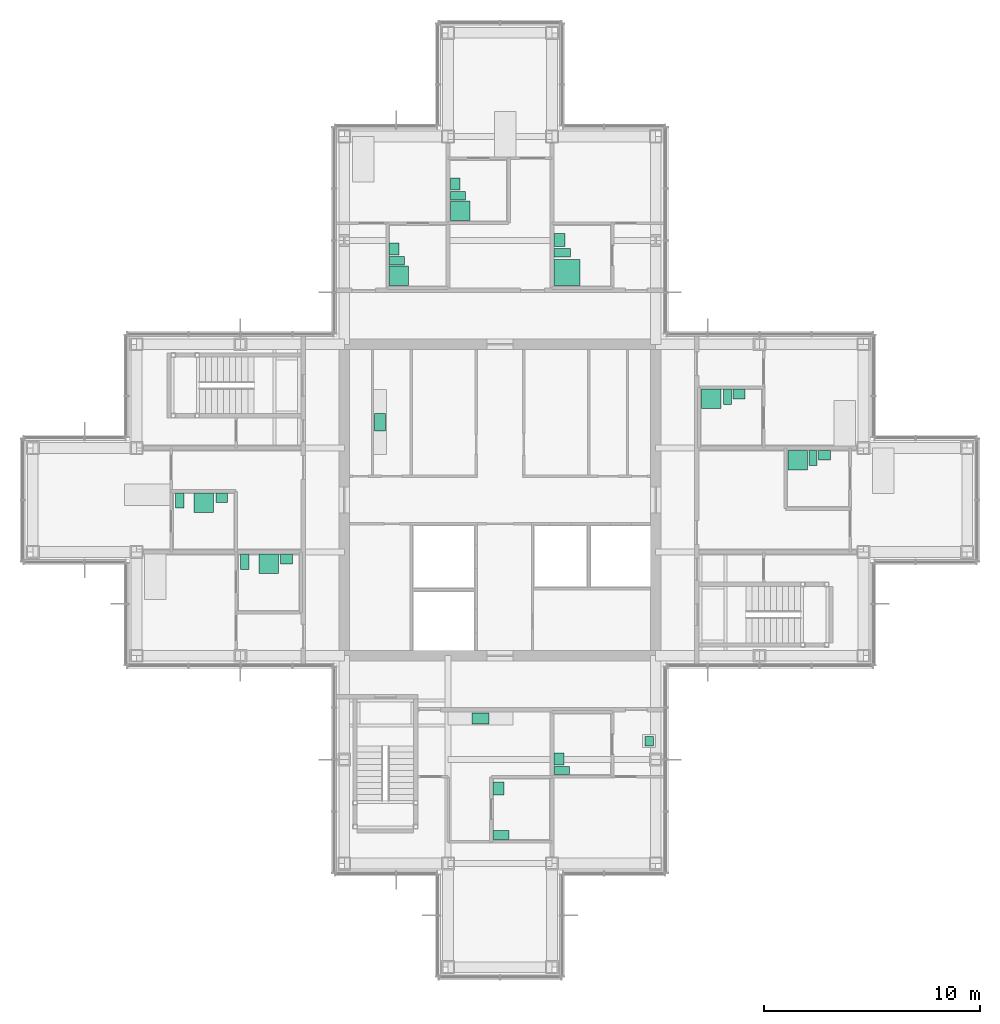
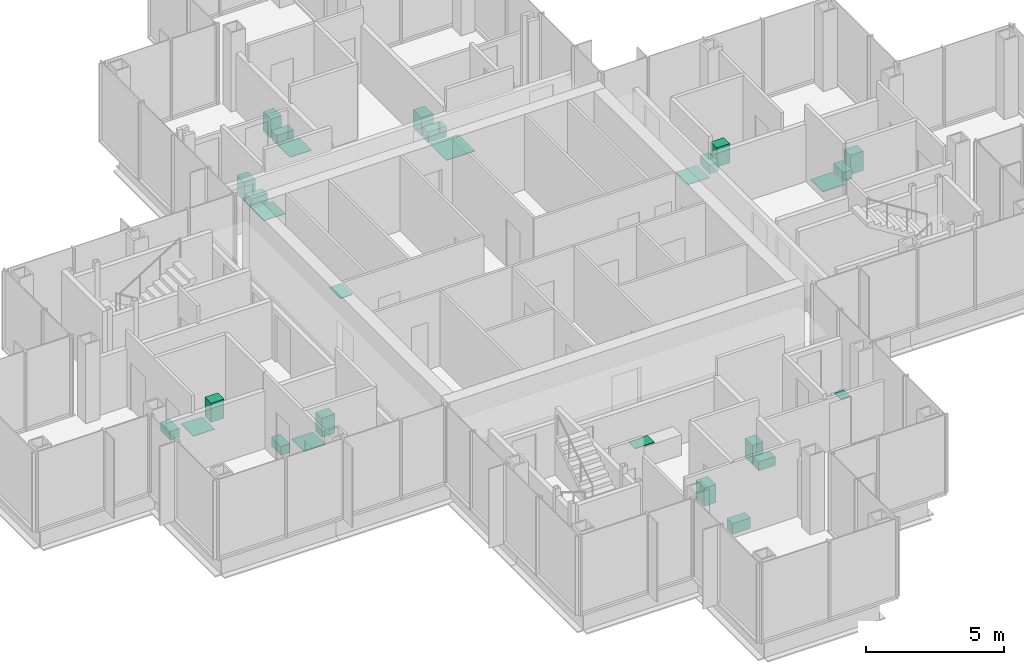
# One storey, part 16 of 17: 28 sanitary terminals.
"""IFC4 building model written with IfcOpenShell, lengths in metres."""

from ifc_helpers import new_model, si_unit, direction, frame, origin, origin_2d, place, context, subcontext, project, spatial, rectangle, extrude, material, type_object, element, save


model = new_model("IFC4")

# Units and contexts
model_context = context("Model", 3, precision=1e-05, world=origin(), true_north=direction((0.0, 1.0)))
body_context = subcontext(model_context, "Body", "Model", "MODEL_VIEW")
ifc_project = project(units=[si_unit("LENGTHUNIT", "METRE"), si_unit("AREAUNIT", "SQUARE_METRE"), si_unit("VOLUMEUNIT", "CUBIC_METRE"), si_unit("PLANEANGLEUNIT", "RADIAN"), si_unit("MASSUNIT", "GRAM", prefix="KILO")], contexts=[model_context])

# Site, building, storey
site_placement = place(None, origin())
site = spatial("IfcSite", under=ifc_project, at=site_placement, CompositionType="ELEMENT")
building_placement = place(site_placement, origin())
building = spatial("IfcBuilding", under=site, at=building_placement, Name="Kvirike Care Tower", CompositionType="ELEMENT")
storey_placement = place(building_placement, frame((0.0, 0.0, 151.5)))
storey = spatial("IfcBuildingStorey", under=building, at=storey_placement, Name="L41", CompositionType="ELEMENT", Elevation=151.5)

# Sanitary terminals
ifc_material_1 = material(Name="Vitreous china", Category="ceramic")
sanitary_terminal_type_1 = type_object("IfcSanitaryTerminalType", Name="ACCESSIBLE WASH BASIN 600 x 500", PredefinedType="WASHHANDBASIN", material=ifc_material_1)
for number, where, z_axis, x_axis, name in (
    (1, (21.527099609375, 22.659912109375, 0.02001953125), (0.0, 0.0, 1.0), (0.0, 1.0, 0.0), "Accessible wash basin L41-014"),
    (2, (24.35205078125, 48.02490234375, 0.02001953125), (0.0, 0.0, 1.0), (0.0, 1.0, 0.0), "Accessible wash basin L41-021"),
):
    element("IfcSanitaryTerminal", number, at=place(storey_placement, frame(where, z_axis=z_axis, x_axis=x_axis)), inside=storey, type_object=sanitary_terminal_type_1, Name=name, PredefinedType="WASHHANDBASIN", context=body_context, shape_type="SweptSolid", body=[
        extrude(rectangle(XDim=0.60009765625, YDim=0.5, at=origin_2d()), origin(), (0.0, 0.0, 1.0), 0.800048828125),
    ])
ifc_material_2 = material(Name="Vitreous china", Category="ceramic")
sanitary_terminal_type_2 = type_object("IfcSanitaryTerminalType", Name="ACCESSIBLE WC PAN 400 x 750", PredefinedType="TOILETPAN", material=ifc_material_2)
for number, where, z_axis, x_axis, name in (
    (3, (21.652099609375, 20.510009765625, 0.02001953125), (0.0, 0.0, 1.0), (0.0, 1.0, 0.0), "Accessible WC pan L41-014"),
    (4, (24.47705078125, 47.425048828125, 0.02001953125), (0.0, 0.0, 1.0), (0.0, 1.0, 0.0), "Accessible WC pan L41-021"),
):
    element("IfcSanitaryTerminal", number, at=place(storey_placement, frame(where, z_axis=z_axis, x_axis=x_axis)), inside=storey, type_object=sanitary_terminal_type_2, Name=name, PredefinedType="TOILETPAN", context=body_context, shape_type="SweptSolid", body=[
        extrude(rectangle(XDim=0.39990234375, YDim=0.75, at=origin_2d()), origin(), (0.0, 0.0, 1.0), 0.47998046875),
    ])
ifc_material_3 = material(Name="Stainless steel", Category="steel")
sanitary_terminal_type_3 = type_object("IfcSanitaryTerminalType", Name="KITCHEN SINK 450 x 400", PredefinedType="SINK", material=ifc_material_3)
sanitary_terminal_1_placement = place(storey_placement, frame((28.498046875, 24.85009765625, 0.89990234375), z_axis=(0.0, 0.0, 1.0), x_axis=(0.0, -1.0, 0.0)))
element("IfcSanitaryTerminal", 5, at=sanitary_terminal_1_placement, inside=storey, type_object=sanitary_terminal_type_3, Name="Kitchen sink L41-018", PredefinedType="SINK", context=body_context, shape_type="SweptSolid", body=[
    extrude(rectangle(XDim=0.449951171875, YDim=0.39990234375, at=origin_2d()), origin(), (0.0, 0.0, 1.0), 0.030029296875),
])
ifc_material_4 = material(Name="Stainless steel", Category="steel")
sanitary_terminal_type_4 = type_object("IfcSanitaryTerminalType", Name="KITCHEN SINK 800 x 500", PredefinedType="SINK", material=ifc_material_4)
for number, where, z_axis, x_axis, name in (
    (6, (20.699951171875, 25.89794921875, 0.89990234375), (0.0, 0.0, 1.0), (1.0, 0.0, 0.0), "Kitchen sink L41-015"),
    (7, (16.052001953125, 39.60009765625, 0.89990234375), (0.0, 0.0, 1.0), (0.0, 1.0, 0.0), "Kitchen sink L41-045"),
):
    element("IfcSanitaryTerminal", number, at=place(storey_placement, frame(where, z_axis=z_axis, x_axis=x_axis)), inside=storey, type_object=sanitary_terminal_type_4, Name=name, PredefinedType="SINK", context=body_context, shape_type="SweptSolid", body=[
        extrude(rectangle(XDim=0.800048828125, YDim=0.5, at=origin_2d()), origin(), (0.0, 0.0, 1.0), 0.030029296875),
    ])
ifc_material_5 = material(Name="Stainless steel", Category="steel")
sanitary_terminal_type_5 = type_object("IfcSanitaryTerminalType", Name="LEVEL-ACCESS SHOWER 1200 x 1200", PredefinedType="SHOWER", material=ifc_material_5)
sanitary_terminal_2_placement = place(storey_placement, frame((24.701904296875, 46.52490234375, 0.02001953125), z_axis=(0.0, 0.0, 1.0), x_axis=(0.0, 1.0, 0.0)))
element("IfcSanitaryTerminal", 8, at=sanitary_terminal_2_placement, inside=storey, type_object=sanitary_terminal_type_5, Name="Level-access shower L41-021", PredefinedType="SHOWER", context=body_context, shape_type="SweptSolid", body=[
    extrude(rectangle(XDim=1.199951171875, YDim=1.199951171875, at=origin_2d()), origin(), (0.0, 0.0, 1.0), 0.02001953125),
])
ifc_material_6 = material(Name="Stainless steel", Category="steel")
sanitary_terminal_type_6 = type_object("IfcSanitaryTerminalType", Name="LEVEL-ACCESS SHOWER 900 x 900", PredefinedType="SHOWER", material=ifc_material_6)
for number, where, z_axis, x_axis, name in (
    (9, (7.909912109375, 35.873046875, 0.02001953125), (0.0, 0.0, 1.0), (1.0, 0.0, 0.0), "Level-access shower L41-006"),
    (10, (10.909912109375, 33.048095703125, 0.02001953125), (0.0, 0.0, 1.0), (1.0, 0.0, 0.0), "Level-access shower L41-009"),
    (11, (19.751953125, 49.375, 0.02001953125), (0.0, 0.0, 1.0), (0.0, 1.0, 0.0), "Level-access shower L41-024"),
    (12, (16.927001953125, 46.375, 0.02001953125), (0.0, 0.0, 1.0), (0.0, 1.0, 0.0), "Level-access shower L41-027"),
    (13, (35.375, 37.847900390625, 0.02001953125), (0.0, 0.0, 1.0), (1.0, 0.0, 0.0), "Level-access shower L41-034"),
    (14, (31.375, 40.673095703125, 0.02001953125), (0.0, 0.0, 1.0), (1.0, 0.0, 0.0), "Level-access shower L41-037"),
):
    element("IfcSanitaryTerminal", number, at=place(storey_placement, frame(where, z_axis=z_axis, x_axis=x_axis)), inside=storey, type_object=sanitary_terminal_type_6, Name=name, PredefinedType="SHOWER", context=body_context, shape_type="SweptSolid", body=[
        extrude(rectangle(XDim=0.89990234375, YDim=0.89990234375, at=origin_2d()), origin(), (0.0, 0.0, 1.0), 0.02001953125),
    ])
ifc_material_7 = material(Name="Vitreous china", Category="ceramic")
sanitary_terminal_type_7 = type_object("IfcSanitaryTerminalType", Name="WASH BASIN 550 x 450", PredefinedType="WASHHANDBASIN", material=ifc_material_7)
for number, where, z_axis, x_axis, name in (
    (15, (8.735107421875, 36.097900390625, 0.02001953125), (0.0, 0.0, 1.0), (1.0, 0.0, 0.0), "Wash basin L41-006"),
    (16, (11.735107421875, 33.27294921875, 0.02001953125), (0.0, 0.0, 1.0), (1.0, 0.0, 0.0), "Wash basin L41-009"),
    (17, (24.326904296875, 24.034912109375, 0.02001953125), (0.0, 0.0, 1.0), (0.0, 1.0, 0.0), "Wash basin L41-017"),
    (18, (19.527099609375, 50.60009765625, 0.02001953125), (0.0, 0.0, 1.0), (0.0, 1.0, 0.0), "Wash basin L41-024"),
    (19, (16.701904296875, 47.60009765625, 0.02001953125), (0.0, 0.0, 1.0), (0.0, 1.0, 0.0), "Wash basin L41-027"),
    (20, (36.60009765625, 38.072998046875, 0.02001953125), (0.0, 0.0, 1.0), (1.0, 0.0, 0.0), "Wash basin L41-034"),
    (21, (32.64990234375, 40.89794921875, 0.02001953125), (0.0, 0.0, 1.0), (1.0, 0.0, 0.0), "Wash basin L41-037"),
):
    element("IfcSanitaryTerminal", number, at=place(storey_placement, frame(where, z_axis=z_axis, x_axis=x_axis)), inside=storey, type_object=sanitary_terminal_type_7, Name=name, PredefinedType="WASHHANDBASIN", context=body_context, shape_type="SweptSolid", body=[
        extrude(rectangle(XDim=0.550048828125, YDim=0.449951171875, at=origin_2d()), origin(), (0.0, 0.0, 1.0), 0.85009765625),
    ])
ifc_material_8 = material(Name="Vitreous china", Category="ceramic")
sanitary_terminal_type_8 = type_object("IfcSanitaryTerminalType", Name="WC PAN 380 x 700", PredefinedType="TOILETPAN", material=ifc_material_8)
for number, where, z_axis, x_axis, name in (
    (22, (6.800048828125, 35.972900390625, 0.02001953125), (0.0, 0.0, 1.0), (1.0, 0.0, 0.0), "WC pan L41-006"),
    (23, (9.800048828125, 33.14794921875, 0.02001953125), (0.0, 0.0, 1.0), (1.0, 0.0, 0.0), "WC pan L41-009"),
    (24, (24.451904296875, 23.5, 0.02001953125), (0.0, 0.0, 1.0), (0.0, 1.0, 0.0), "WC pan L41-017"),
    (25, (19.652099609375, 50.06494140625, 0.02001953125), (0.0, 0.0, 1.0), (0.0, 1.0, 0.0), "WC pan L41-024"),
    (26, (16.826904296875, 47.06494140625, 0.02001953125), (0.0, 0.0, 1.0), (0.0, 1.0, 0.0), "WC pan L41-027"),
    (27, (36.06494140625, 37.947998046875, 0.02001953125), (0.0, 0.0, 1.0), (1.0, 0.0, 0.0), "WC pan L41-034"),
    (28, (32.114990234375, 40.77294921875, 0.02001953125), (0.0, 0.0, 1.0), (1.0, 0.0, 0.0), "WC pan L41-037"),
):
    element("IfcSanitaryTerminal", number, at=place(storey_placement, frame(where, z_axis=z_axis, x_axis=x_axis)), inside=storey, type_object=sanitary_terminal_type_8, Name=name, PredefinedType="TOILETPAN", context=body_context, shape_type="SweptSolid", body=[
        extrude(rectangle(XDim=0.3798828125, YDim=0.699951171875, at=origin_2d()), origin(), (0.0, 0.0, 1.0), 0.39990234375),
    ])

save(model, "model.ifc")
